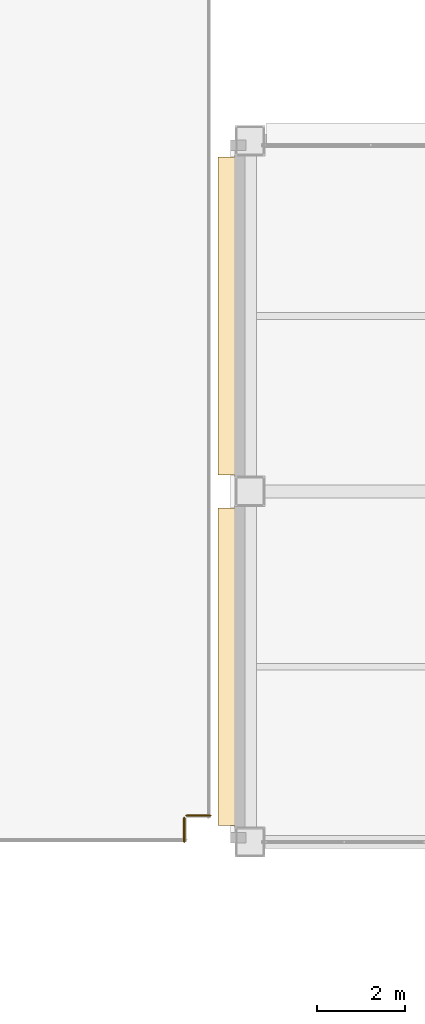
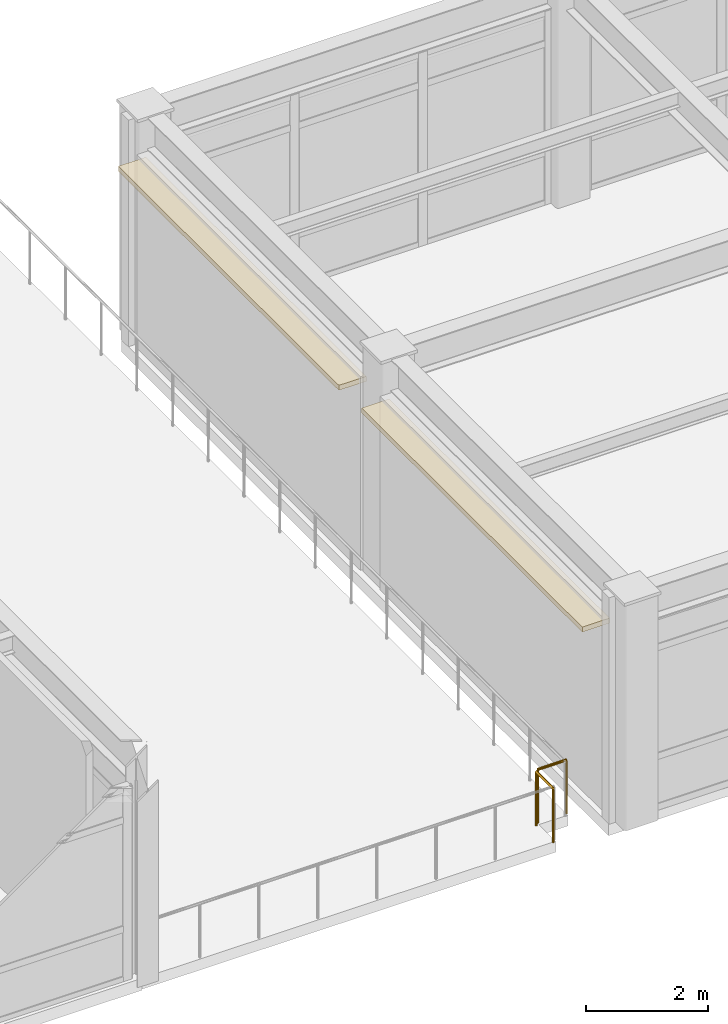
# One storey, part 87 of 93: 2 coverings, 2 railings.
"""IFC4 building model written with IfcOpenShell, lengths in metres."""

from ifc_helpers import new_model, si_unit, direction, frame, origin, origin_2d, place, context, subcontext, project, spatial, rectangle, circle, extrude, material, layer, layer_set, type_object, element, save


model = new_model("IFC4")

# Units and contexts
model_context = context("Model", 3, precision=1e-05, world=origin(), true_north=direction((0.0, 1.0)))
body_context = subcontext(model_context, "Body", "Model", "MODEL_VIEW")
ifc_project = project(units=[si_unit("LENGTHUNIT", "METRE"), si_unit("AREAUNIT", "SQUARE_METRE"), si_unit("VOLUMEUNIT", "CUBIC_METRE"), si_unit("PLANEANGLEUNIT", "RADIAN"), si_unit("MASSUNIT", "GRAM", prefix="KILO")], contexts=[model_context])

# Site, building, storey
site_placement = place(None, origin())
site = spatial("IfcSite", under=ifc_project, at=site_placement, CompositionType="ELEMENT")
building_placement = place(site_placement, origin())
building = spatial("IfcBuilding", under=site, at=building_placement, Name="Kazehara Bluff Congress Hotel", CompositionType="ELEMENT")
storey_placement = place(building_placement, frame((0.0, 0.0, 15.0)))
storey = spatial("IfcBuildingStorey", under=building, at=storey_placement, Name="L03", CompositionType="ELEMENT", Elevation=15.0)

# Coverings
ifc_material_1 = material(Name="Anodised aluminium architectural brise-soleil", Category="aluminium")
ifc_layer = layer(ifc_material_1, 0.10009765625)
ifc_layer_set = layer_set([ifc_layer], Name="Anodised aluminium architectural brise-soleil")
covering_type = type_object("IfcCoveringType", Name="TP-FAC-FIN", PredefinedType="CLADDING", material=ifc_layer_set)
for number, where, z_axis, x_axis, name in (
    (1, (110.080078125, 20.0, 3.71484375), (0.0, 0.0, 1.0), (1.0, 0.0, 0.0), "L03 V5 architectural sun-hood 169"),
    (2, (110.080078125, 28.0, 3.71484375), (0.0, 0.0, 1.0), (1.0, 0.0, 0.0), "L03 V5 architectural sun-hood 170"),
):
    element("IfcCovering", number, at=place(storey_placement, frame(where, z_axis=z_axis, x_axis=x_axis)), inside=storey, type_object=covering_type, Name=name, PredefinedType="CLADDING", context=body_context, shape_type="SweptSolid", body=[
        extrude(rectangle(XDim=0.52001953125, YDim=7.25, at=origin_2d()), origin(), (0.0, 0.0, 1.0), 0.10009765625),
    ])

# Railings
ifc_material_2 = material(Name="Painted galvanised steel", Category="steel")
railing_type = type_object("IfcRailingType", Name="TP-GRD-EXT", PredefinedType="BALUSTRADE", material=ifc_material_2)
railing_1_placement = place(storey_placement, frame((109.050048828125, 16.0, 0.0)))
element("IfcRailing", 3, at=railing_1_placement, inside=storey, type_object=railing_type, Name="Concourse Court Terrace edge guard 2", PredefinedType="BALUSTRADE", context=body_context, shape_type="SweptSolid", body=[
    extrude(circle(Radius=0.02392578125, at=origin_2d()), frame((0.0, 0.0, 1.076171875), z_axis=(0.0, 1.0, 0.0), x_axis=(-1.0, 0.0, 0.0)), (0.0, 0.0, 1.0), 0.550048828125),
    extrude(circle(Radius=0.02099609375, at=origin_2d()), origin(), (0.0, 0.0, 1.0), 1.052001953125),
    extrude(circle(Radius=0.02099609375, at=origin_2d()), frame((0.0, 0.550048828125, 0.0)), (0.0, 0.0, 1.0), 1.052001953125),
])
railing_2_placement = place(storey_placement, frame((109.10009765625, 16.60009765625, 0.0)))
element("IfcRailing", 4, at=railing_2_placement, inside=storey, type_object=railing_type, Name="Concourse Court Terrace edge guard 3", PredefinedType="BALUSTRADE", context=body_context, shape_type="SweptSolid", body=[
    extrude(circle(Radius=0.02392578125, at=origin_2d()), frame((0.0, 0.0, 1.076171875), z_axis=(1.0, 0.0, 0.0), x_axis=(0.0, 1.0, 0.0)), (0.0, 0.0, 1.0), 0.5498046875),
    extrude(circle(Radius=0.02099609375, at=origin_2d()), origin(), (0.0, 0.0, 1.0), 1.052001953125),
    extrude(circle(Radius=0.02099609375, at=origin_2d()), frame((0.5498046875, 0.0, 0.0)), (0.0, 0.0, 1.0), 1.052001953125),
])

save(model, "model.ifc")
